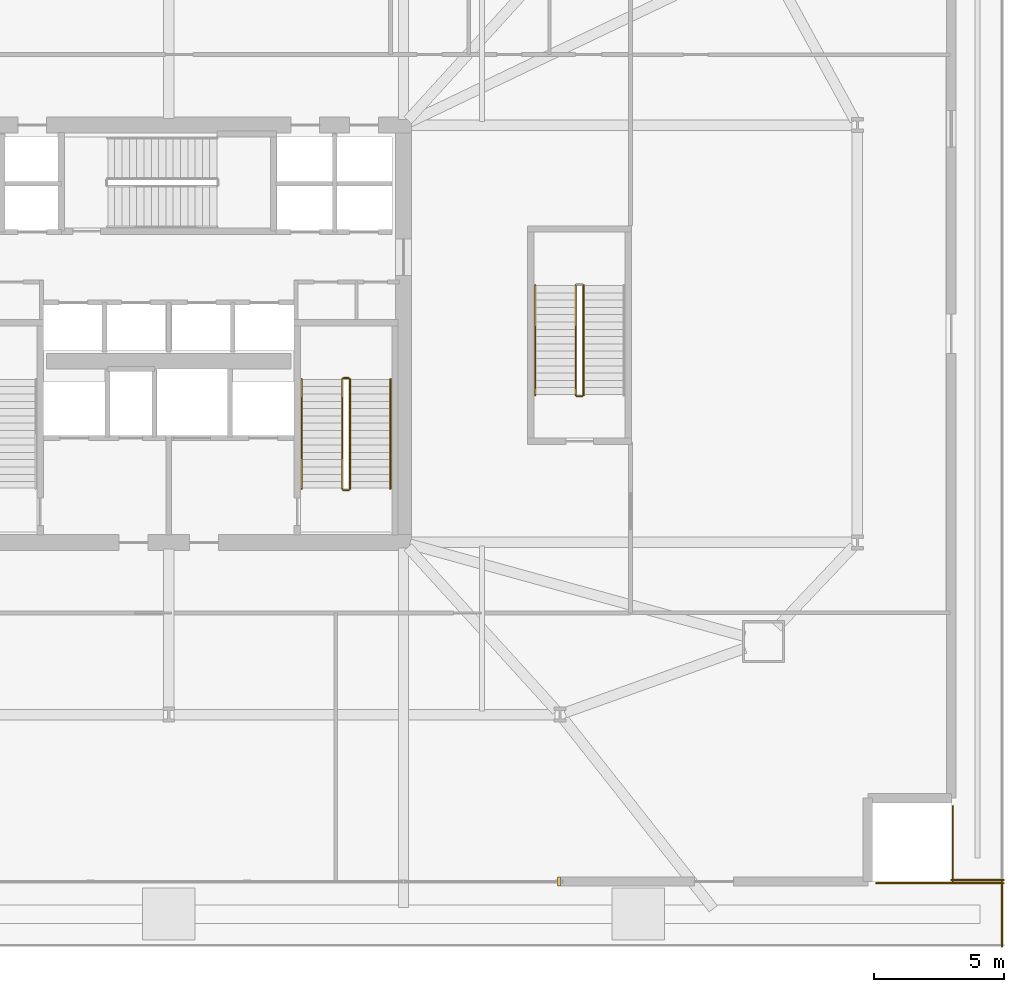
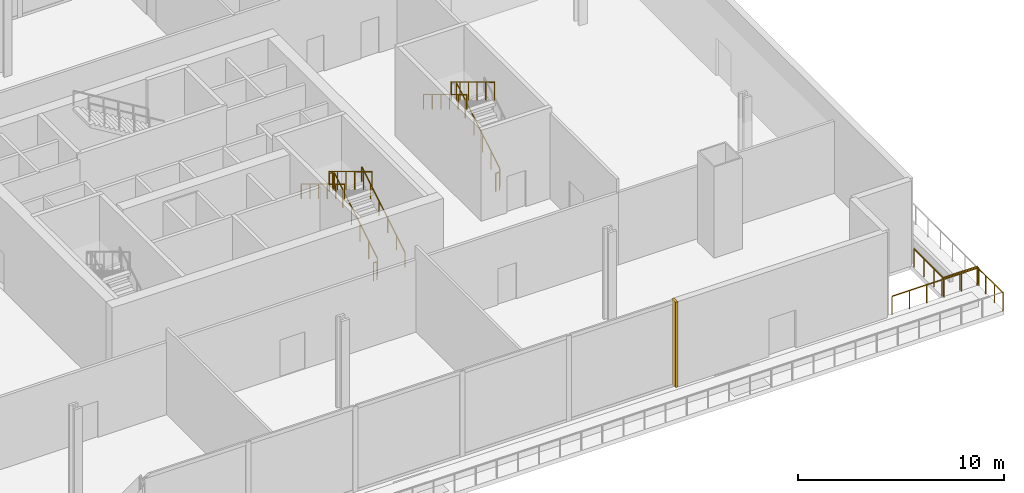
# One storey, part 17 of 20: 14 railings, 1 covering.
"""IFC4 building model written with IfcOpenShell, lengths in metres."""

from ifc_helpers import new_model, si_unit, direction, frame, origin, origin_2d, place, context, subcontext, project, spatial, rectangle, extrude, source, transform, mapped, material, layer, layer_set, type_object, element, save


model = new_model("IFC4")

# Units and contexts
model_context = context("Model", 3, precision=1e-05, world=origin(), true_north=direction((0.0, 1.0)))
body_context = subcontext(model_context, "Body", "Model", "MODEL_VIEW")
ifc_project = project(units=[si_unit("LENGTHUNIT", "METRE"), si_unit("AREAUNIT", "SQUARE_METRE"), si_unit("VOLUMEUNIT", "CUBIC_METRE"), si_unit("PLANEANGLEUNIT", "RADIAN"), si_unit("MASSUNIT", "GRAM", prefix="KILO")], contexts=[model_context])

# Site, building, storey
site_placement = place(None, origin())
site = spatial("IfcSite", under=ifc_project, at=site_placement, CompositionType="ELEMENT")
building_placement = place(site_placement, origin())
building = spatial("IfcBuilding", under=site, at=building_placement, Name="Haldenkirk Collegiate Tower", CompositionType="ELEMENT")
storey_placement = place(building_placement, frame((0.0, 0.0, 6.0)))
storey = spatial("IfcBuildingStorey", under=building, at=storey_placement, Name="L01", CompositionType="ELEMENT", Elevation=6.0)

# Railings
ifc_material_1 = material(Name="Painted architectural tubular steel", Category="steel")
railing_type_1 = type_object("IfcRailingType", Name="RLG-STAIR-GUARD-1100", PredefinedType="BALUSTRADE", material=ifc_material_1)
railing_1_placement = place(storey_placement, frame((42.949951171875, 20.050048828125, 0.168701171875)))
element("IfcRailing", 1, at=railing_1_placement, inside=storey, type_object=railing_type_1, Name="L01 ST-2 stair guard 1", PredefinedType="BALUSTRADE", context=body_context, shape_type="SweptSolid", body=[
    extrude(rectangle(XDim=0.048095703125, YDim=0.048095703125, at=origin_2d()), frame((0.0, 0.0, 1.076171875), z_axis=(0.0, 0.856476492594, 0.516186030065), x_axis=(-1.0, 0.0, 0.0)), (0.0, 0.0, 1.0), 4.90380859375),
    extrude(rectangle(XDim=0.0419921875, YDim=0.0419921875, at=origin_2d()), origin(), (0.0, 0.0, 1.0), 1.052001953125),
    extrude(rectangle(XDim=0.0419921875, YDim=0.0419921875, at=origin_2d()), frame((0.0, 0.840087890625, 0.50634765625)), (0.0, 0.0, 1.0), 1.052001953125),
    extrude(rectangle(XDim=0.0419921875, YDim=0.0419921875, at=origin_2d()), frame((0.0, 1.679931640625, 1.012451171875)), (0.0, 0.0, 1.0), 1.052001953125),
    extrude(rectangle(XDim=0.0419921875, YDim=0.0419921875, at=origin_2d()), frame((0.0, 2.52001953125, 1.518798828125)), (0.0, 0.0, 1.0), 1.052001953125),
    extrude(rectangle(XDim=0.0419921875, YDim=0.0419921875, at=origin_2d()), frame((0.0, 3.35986328125, 2.02490234375)), (0.0, 0.0, 1.0), 1.052001953125),
    extrude(rectangle(XDim=0.0419921875, YDim=0.0419921875, at=origin_2d()), frame((0.0, 4.199951171875, 2.53125)), (0.0, 0.0, 1.0), 1.052001953125),
])
railing_2_placement = place(storey_placement, frame((42.89990234375, 24.300048828125, 2.699951171875)))
element("IfcRailing", 2, at=railing_2_placement, inside=storey, type_object=railing_type_1, Name="L01 ST-2 stair guard 2", PredefinedType="BALUSTRADE", context=body_context, shape_type="SweptSolid", body=[
    extrude(rectangle(XDim=0.048095703125, YDim=0.048095703125, at=origin_2d()), frame((0.0, 0.0, 1.076171875), z_axis=(-1.0, 0.0, 0.0), x_axis=(0.0, -1.0, 0.0)), (0.0, 0.0, 1.0), 0.199951171875),
    extrude(rectangle(XDim=0.0419921875, YDim=0.0419921875, at=origin_2d()), origin(), (0.0, 0.0, 1.0), 1.052001953125),
    extrude(rectangle(XDim=0.0419921875, YDim=0.0419921875, at=origin_2d()), frame((-0.199951171875, 0.0, 0.0)), (0.0, 0.0, 1.0), 1.052001953125),
])
railing_3_placement = place(storey_placement, frame((42.64990234375, 24.25, 2.86865234375)))
element("IfcRailing", 3, at=railing_3_placement, inside=storey, type_object=railing_type_1, Name="L01 ST-2 stair guard 3", PredefinedType="BALUSTRADE", context=body_context, shape_type="SweptSolid", body=[
    extrude(rectangle(XDim=0.048095703125, YDim=0.048095703125, at=origin_2d()), frame((0.0, 0.0, 1.076171875), z_axis=(0.0, -0.856476492594, 0.516186030065), x_axis=(1.0, 0.0, 0.0)), (0.0, 0.0, 1.0), 4.90380859375),
    extrude(rectangle(XDim=0.0419921875, YDim=0.0419921875, at=origin_2d()), origin(), (0.0, 0.0, 1.0), 1.052001953125),
    extrude(rectangle(XDim=0.0419921875, YDim=0.0419921875, at=origin_2d()), frame((0.0, -0.840087890625, 0.50634765625)), (0.0, 0.0, 1.0), 1.052001953125),
    extrude(rectangle(XDim=0.0419921875, YDim=0.0419921875, at=origin_2d()), frame((0.0, -1.679931640625, 1.012451171875)), (0.0, 0.0, 1.0), 1.052001953125),
    extrude(rectangle(XDim=0.0419921875, YDim=0.0419921875, at=origin_2d()), frame((0.0, -2.52001953125, 1.518798828125)), (0.0, 0.0, 1.0), 1.052001953125),
    extrude(rectangle(XDim=0.0419921875, YDim=0.0419921875, at=origin_2d()), frame((0.0, -3.35986328125, 2.02490234375)), (0.0, 0.0, 1.0), 1.052001953125),
    extrude(rectangle(XDim=0.0419921875, YDim=0.0419921875, at=origin_2d()), frame((0.0, -4.199951171875, 2.53125)), (0.0, 0.0, 1.0), 1.052001953125),
])
railing_4_placement = place(storey_placement, frame((42.89990234375, 20.0, 0.0)))
element("IfcRailing", 4, at=railing_4_placement, inside=storey, type_object=railing_type_1, Name="L01 ST-2 stair guard 4", PredefinedType="BALUSTRADE", context=body_context, shape_type="SweptSolid", body=[
    extrude(rectangle(XDim=0.048095703125, YDim=0.048095703125, at=origin_2d()), frame((0.0, 0.0, 1.076171875), z_axis=(-1.0, 0.0, 0.0), x_axis=(0.0, -1.0, 0.0)), (0.0, 0.0, 1.0), 0.199951171875),
    extrude(rectangle(XDim=0.0419921875, YDim=0.0419921875, at=origin_2d()), origin(), (0.0, 0.0, 1.0), 1.052001953125),
    extrude(rectangle(XDim=0.0419921875, YDim=0.0419921875, at=origin_2d()), frame((-0.199951171875, 0.0, 0.0)), (0.0, 0.0, 1.0), 1.052001953125),
])
railing_5_placement = place(storey_placement, frame((51.89990234375, 23.64990234375, 0.168701171875)))
element("IfcRailing", 5, at=railing_5_placement, inside=storey, type_object=railing_type_1, Name="L01 ST-5 stair guard 1", PredefinedType="BALUSTRADE", context=body_context, shape_type="SweptSolid", body=[
    extrude(rectangle(XDim=0.048095703125, YDim=0.048095703125, at=origin_2d()), frame((0.0, 0.0, 1.076171875), z_axis=(0.0, 0.856489757249, 0.516164020179), x_axis=(-1.0, 0.0, 0.0)), (0.0, 0.0, 1.0), 4.904052734375),
    extrude(rectangle(XDim=0.0419921875, YDim=0.0419921875, at=origin_2d()), origin(), (0.0, 0.0, 1.0), 1.052001953125),
    extrude(rectangle(XDim=0.0419921875, YDim=0.0419921875, at=origin_2d()), frame((0.0, 0.840087890625, 0.50634765625)), (0.0, 0.0, 1.0), 1.052001953125),
    extrude(rectangle(XDim=0.0419921875, YDim=0.0419921875, at=origin_2d()), frame((0.0, 1.68017578125, 1.012451171875)), (0.0, 0.0, 1.0), 1.052001953125),
    extrude(rectangle(XDim=0.0419921875, YDim=0.0419921875, at=origin_2d()), frame((0.0, 2.52001953125, 1.518798828125)), (0.0, 0.0, 1.0), 1.052001953125),
    extrude(rectangle(XDim=0.0419921875, YDim=0.0419921875, at=origin_2d()), frame((0.0, 3.360107421875, 2.02490234375)), (0.0, 0.0, 1.0), 1.052001953125),
    extrude(rectangle(XDim=0.0419921875, YDim=0.0419921875, at=origin_2d()), frame((0.0, 4.2001953125, 2.53125)), (0.0, 0.0, 1.0), 1.052001953125),
])
railing_6_placement = place(storey_placement, frame((51.60009765625, 27.85009765625, 2.86865234375)))
element("IfcRailing", 6, at=railing_6_placement, inside=storey, type_object=railing_type_1, Name="L01 ST-5 stair guard 3", PredefinedType="BALUSTRADE", context=body_context, shape_type="SweptSolid", body=[
    extrude(rectangle(XDim=0.048095703125, YDim=0.048095703125, at=origin_2d()), frame((0.0, 0.0, 1.076171875), z_axis=(0.0, -0.856489757249, 0.516164020179), x_axis=(1.0, 0.0, 0.0)), (0.0, 0.0, 1.0), 4.904052734375),
    extrude(rectangle(XDim=0.0419921875, YDim=0.0419921875, at=origin_2d()), origin(), (0.0, 0.0, 1.0), 1.052001953125),
    extrude(rectangle(XDim=0.0419921875, YDim=0.0419921875, at=origin_2d()), frame((0.0, -0.840087890625, 0.50634765625)), (0.0, 0.0, 1.0), 1.052001953125),
    extrude(rectangle(XDim=0.0419921875, YDim=0.0419921875, at=origin_2d()), frame((0.0, -1.68017578125, 1.012451171875)), (0.0, 0.0, 1.0), 1.052001953125),
    extrude(rectangle(XDim=0.0419921875, YDim=0.0419921875, at=origin_2d()), frame((0.0, -2.52001953125, 1.518798828125)), (0.0, 0.0, 1.0), 1.052001953125),
    extrude(rectangle(XDim=0.0419921875, YDim=0.0419921875, at=origin_2d()), frame((0.0, -3.360107421875, 2.02490234375)), (0.0, 0.0, 1.0), 1.052001953125),
    extrude(rectangle(XDim=0.0419921875, YDim=0.0419921875, at=origin_2d()), frame((0.0, -4.2001953125, 2.53125)), (0.0, 0.0, 1.0), 1.052001953125),
])
railing_7_placement = place(storey_placement, frame((51.85009765625, 23.60009765625, 0.0)))
element("IfcRailing", 7, at=railing_7_placement, inside=storey, type_object=railing_type_1, Name="L01 ST-5 stair guard 4", PredefinedType="BALUSTRADE", context=body_context, shape_type="SweptSolid", body=[
    extrude(rectangle(XDim=0.048095703125, YDim=0.048095703125, at=origin_2d()), frame((0.0, 0.0, 1.076171875), z_axis=(-1.0, 0.0, 0.0), x_axis=(0.0, -1.0, 0.0)), (0.0, 0.0, 1.0), 0.2001953125),
    extrude(rectangle(XDim=0.0419921875, YDim=0.0419921875, at=origin_2d()), origin(), (0.0, 0.0, 1.0), 1.052001953125),
    extrude(rectangle(XDim=0.0419921875, YDim=0.0419921875, at=origin_2d()), frame((-0.2001953125, 0.0, 0.0)), (0.0, 0.0, 1.0), 1.052001953125),
])
railing_type_2 = type_object("IfcRailingType", Name="RLG-STAIR-HANDRAIL-900", PredefinedType="HANDRAIL", material=ifc_material_1)
railing_8_placement = place(storey_placement, frame((44.5, 20.050048828125, 0.168701171875)))
element("IfcRailing", 8, at=railing_8_placement, inside=storey, type_object=railing_type_2, Name="L01 ST-2 stair handrail 1", PredefinedType="HANDRAIL", context=body_context, shape_type="SweptSolid", body=[
    extrude(rectangle(XDim=0.048095703125, YDim=0.048095703125, at=origin_2d()), frame((0.0, 0.0, 0.8759765625), z_axis=(0.0, 0.856476492594, 0.516186030065), x_axis=(-1.0, 0.0, 0.0)), (0.0, 0.0, 1.0), 4.90380859375),
    extrude(rectangle(XDim=0.0419921875, YDim=0.0419921875, at=origin_2d()), origin(), (0.0, 0.0, 1.0), 0.851806640625),
    extrude(rectangle(XDim=0.0419921875, YDim=0.0419921875, at=origin_2d()), frame((0.0, 0.840087890625, 0.50634765625)), (0.0, 0.0, 1.0), 0.851806640625),
    extrude(rectangle(XDim=0.0419921875, YDim=0.0419921875, at=origin_2d()), frame((0.0, 1.679931640625, 1.012451171875)), (0.0, 0.0, 1.0), 0.851806640625),
    extrude(rectangle(XDim=0.0419921875, YDim=0.0419921875, at=origin_2d()), frame((0.0, 2.52001953125, 1.518798828125)), (0.0, 0.0, 1.0), 0.851806640625),
    extrude(rectangle(XDim=0.0419921875, YDim=0.0419921875, at=origin_2d()), frame((0.0, 3.35986328125, 2.02490234375)), (0.0, 0.0, 1.0), 0.851806640625),
    extrude(rectangle(XDim=0.0419921875, YDim=0.0419921875, at=origin_2d()), frame((0.0, 4.199951171875, 2.53125)), (0.0, 0.0, 1.0), 0.851806640625),
])
railing_9_placement = place(storey_placement, frame((41.10009765625, 24.25, 2.86865234375)))
element("IfcRailing", 9, at=railing_9_placement, inside=storey, type_object=railing_type_2, Name="L01 ST-2 stair handrail 2", PredefinedType="HANDRAIL", context=body_context, shape_type="SweptSolid", body=[
    extrude(rectangle(XDim=0.048095703125, YDim=0.048095703125, at=origin_2d()), frame((0.0, 0.0, 0.8759765625), z_axis=(0.0, -0.856476492594, 0.516186030065), x_axis=(1.0, 0.0, 0.0)), (0.0, 0.0, 1.0), 4.90380859375),
    extrude(rectangle(XDim=0.0419921875, YDim=0.0419921875, at=origin_2d()), origin(), (0.0, 0.0, 1.0), 0.851806640625),
    extrude(rectangle(XDim=0.0419921875, YDim=0.0419921875, at=origin_2d()), frame((0.0, -0.840087890625, 0.50634765625)), (0.0, 0.0, 1.0), 0.851806640625),
    extrude(rectangle(XDim=0.0419921875, YDim=0.0419921875, at=origin_2d()), frame((0.0, -1.679931640625, 1.012451171875)), (0.0, 0.0, 1.0), 0.851806640625),
    extrude(rectangle(XDim=0.0419921875, YDim=0.0419921875, at=origin_2d()), frame((0.0, -2.52001953125, 1.518798828125)), (0.0, 0.0, 1.0), 0.851806640625),
    extrude(rectangle(XDim=0.0419921875, YDim=0.0419921875, at=origin_2d()), frame((0.0, -3.35986328125, 2.02490234375)), (0.0, 0.0, 1.0), 0.851806640625),
    extrude(rectangle(XDim=0.0419921875, YDim=0.0419921875, at=origin_2d()), frame((0.0, -4.199951171875, 2.53125)), (0.0, 0.0, 1.0), 0.851806640625),
])
railing_10_placement = place(storey_placement, frame((50.050048828125, 27.85009765625, 2.86865234375)))
element("IfcRailing", 10, at=railing_10_placement, inside=storey, type_object=railing_type_2, Name="L01 ST-5 stair handrail 2", PredefinedType="HANDRAIL", context=body_context, shape_type="SweptSolid", body=[
    extrude(rectangle(XDim=0.048095703125, YDim=0.048095703125, at=origin_2d()), frame((0.0, 0.0, 0.8759765625), z_axis=(0.0, -0.856489757249, 0.516164020179), x_axis=(1.0, 0.0, 0.0)), (0.0, 0.0, 1.0), 4.904052734375),
    extrude(rectangle(XDim=0.0419921875, YDim=0.0419921875, at=origin_2d()), origin(), (0.0, 0.0, 1.0), 0.851806640625),
    extrude(rectangle(XDim=0.0419921875, YDim=0.0419921875, at=origin_2d()), frame((0.0, -0.840087890625, 0.50634765625)), (0.0, 0.0, 1.0), 0.851806640625),
    extrude(rectangle(XDim=0.0419921875, YDim=0.0419921875, at=origin_2d()), frame((0.0, -1.68017578125, 1.012451171875)), (0.0, 0.0, 1.0), 0.851806640625),
    extrude(rectangle(XDim=0.0419921875, YDim=0.0419921875, at=origin_2d()), frame((0.0, -2.52001953125, 1.518798828125)), (0.0, 0.0, 1.0), 0.851806640625),
    extrude(rectangle(XDim=0.0419921875, YDim=0.0419921875, at=origin_2d()), frame((0.0, -3.360107421875, 2.02490234375)), (0.0, 0.0, 1.0), 0.851806640625),
    extrude(rectangle(XDim=0.0419921875, YDim=0.0419921875, at=origin_2d()), frame((0.0, -4.2001953125, 2.53125)), (0.0, 0.0, 1.0), 0.851806640625),
])
ifc_material_2 = material(Name="Anodised architectural bronze aluminium", Category="aluminium")
railing_type_3 = type_object("IfcRailingType", Name="RLG-TERR-BALUSTRADE-1100", PredefinedType="BALUSTRADE", material=ifc_material_2)
railing_11_placement = place(storey_placement, frame((67.93994140625, 2.5, 0.0)))
element("IfcRailing", 11, at=railing_11_placement, inside=storey, type_object=railing_type_3, Name="L01 terrace guard balustrade 2-1", PredefinedType="BALUSTRADE", context=body_context, shape_type="SweptSolid", body=[
    extrude(rectangle(XDim=0.048095703125, YDim=0.048095703125, at=origin_2d()), frame((0.0, 0.0, 1.076171875), z_axis=(0.0, 1.0, 0.0), x_axis=(-1.0, 0.0, 0.0)), (0.0, 0.0, 1.0), 2.5),
    extrude(rectangle(XDim=0.0419921875, YDim=0.0419921875, at=origin_2d()), origin(), (0.0, 0.0, 1.0), 1.052001953125),
    extrude(rectangle(XDim=0.0419921875, YDim=0.0419921875, at=origin_2d()), frame((0.0, 0.833251953125, 0.0)), (0.0, 0.0, 1.0), 1.052001953125),
    extrude(rectangle(XDim=0.0419921875, YDim=0.0419921875, at=origin_2d()), frame((0.0, 1.666748046875, 0.0)), (0.0, 0.0, 1.0), 1.052001953125),
    extrude(rectangle(XDim=0.0419921875, YDim=0.0419921875, at=origin_2d()), frame((0.0, 2.5, 0.0)), (0.0, 0.0, 1.0), 1.052001953125),
])
railing_12_placement = place(storey_placement, frame((68.0, 4.93994140625, 0.0)))
element("IfcRailing", 12, at=railing_12_placement, inside=storey, type_object=railing_type_3, Name="L01 terrace guard balustrade 3-1", PredefinedType="BALUSTRADE", context=body_context, shape_type="SweptSolid", body=[
    extrude(rectangle(XDim=0.048095703125, YDim=0.048095703125, at=origin_2d()), frame((0.0, 0.0, 1.076171875), z_axis=(-1.0, 0.0, 0.0), x_axis=(0.0, -1.0, 0.0)), (0.0, 0.0, 1.0), 4.8798828125),
    extrude(rectangle(XDim=0.0419921875, YDim=0.0419921875, at=origin_2d()), origin(), (0.0, 0.0, 1.0), 1.052001953125),
    extrude(rectangle(XDim=0.0419921875, YDim=0.0419921875, at=origin_2d()), frame((-0.97607421875, 0.0, 0.0)), (0.0, 0.0, 1.0), 1.052001953125),
    extrude(rectangle(XDim=0.0419921875, YDim=0.0419921875, at=origin_2d()), frame((-1.951904296875, 0.0, 0.0)), (0.0, 0.0, 1.0), 1.052001953125),
    extrude(rectangle(XDim=0.0419921875, YDim=0.0419921875, at=origin_2d()), frame((-2.927978515625, 0.0, 0.0)), (0.0, 0.0, 1.0), 1.052001953125),
    extrude(rectangle(XDim=0.0419921875, YDim=0.0419921875, at=origin_2d()), frame((-3.90380859375, 0.0, 0.0)), (0.0, 0.0, 1.0), 1.052001953125),
    extrude(rectangle(XDim=0.0419921875, YDim=0.0419921875, at=origin_2d()), frame((-4.8798828125, 0.0, 0.0)), (0.0, 0.0, 1.0), 1.052001953125),
])
railing_13_placement = place(storey_placement, frame((66.0, 5.06005859375, 0.0)))
element("IfcRailing", 13, at=railing_13_placement, inside=storey, type_object=railing_type_3, Name="L01 terrace guard balustrade 1-1", PredefinedType="BALUSTRADE", context=body_context, shape_type="SweptSolid", body=[
    extrude(rectangle(XDim=0.048095703125, YDim=0.048095703125, at=origin_2d()), frame((0.0, 0.0, 1.076171875), z_axis=(1.0, 0.0, 0.0), x_axis=(0.0, 1.0, 0.0)), (0.0, 0.0, 1.0), 2.0),
    extrude(rectangle(XDim=0.0419921875, YDim=0.0419921875, at=origin_2d()), origin(), (0.0, 0.0, 1.0), 1.052001953125),
    extrude(rectangle(XDim=0.0419921875, YDim=0.0419921875, at=origin_2d()), frame((1.0, 0.0, 0.0)), (0.0, 0.0, 1.0), 1.052001953125),
    extrude(rectangle(XDim=0.0419921875, YDim=0.0419921875, at=origin_2d()), frame((2.0, 0.0, 0.0)), (0.0, 0.0, 1.0), 1.052001953125),
])
railing_14_placement = place(storey_placement, frame((66.06005859375, 7.8798828125, 0.0)))
element("IfcRailing", 14, at=railing_14_placement, inside=storey, type_object=railing_type_3, Name="L01 terrace guard balustrade 4-2", PredefinedType="BALUSTRADE", context=body_context, shape_type="SweptSolid", body=[
    extrude(rectangle(XDim=0.048095703125, YDim=0.048095703125, at=origin_2d()), frame((0.0, 0.0, 1.076171875), z_axis=(0.0, -1.0, 0.0), x_axis=(1.0, 0.0, 0.0)), (0.0, 0.0, 1.0), 2.8798828125),
    extrude(rectangle(XDim=0.0419921875, YDim=0.0419921875, at=origin_2d()), origin(), (0.0, 0.0, 1.0), 1.052001953125),
    extrude(rectangle(XDim=0.0419921875, YDim=0.0419921875, at=origin_2d()), frame((0.0, -0.9599609375, 0.0)), (0.0, 0.0, 1.0), 1.052001953125),
    extrude(rectangle(XDim=0.0419921875, YDim=0.0419921875, at=origin_2d()), frame((0.0, -1.919921875, 0.0)), (0.0, 0.0, 1.0), 1.052001953125),
    extrude(rectangle(XDim=0.0419921875, YDim=0.0419921875, at=origin_2d()), frame((0.0, -2.8798828125, 0.0)), (0.0, 0.0, 1.0), 1.052001953125),
])

# Covering
ifc_layer = layer(ifc_material_2, 0.06005859375)
ifc_layer_set = layer_set([ifc_layer], Name="Anodised architectural bronze aluminium")
covering_type = type_object("IfcCoveringType", Name="COV-CLAD-BRONZE-60", PredefinedType="CLADDING", material=ifc_layer_set)
shared_shape = source(origin(), body_context, "Body", "SweptSolid", [
    extrude(rectangle(XDim=0.1201171875, YDim=0.360107421875, at=origin_2d()), origin(), (0.0, 0.0, 1.0), 5.070068359375),
])
covering_placement = place(storey_placement, frame((50.968017578125, 5.0, 0.0), z_axis=(0.0, 0.0, 1.0), x_axis=(-1.0, 0.0, 0.0)))
element("IfcCovering", 15, at=covering_placement, inside=storey, type_object=covering_type, Name="L01 podium curtain-wall bronze jamb closure 1JL", PredefinedType="CLADDING", context=body_context, shape_type="MappedRepresentation", body=[
    mapped(shared_shape, transform((0.0, 0.0, 0.0), x_axis=(1.0, 0.0, 0.0), y_axis=(0.0, 1.0, 0.0), z_axis=(0.0, 0.0, 1.0), scale=1.0)),
])

save(model, "model.ifc")
